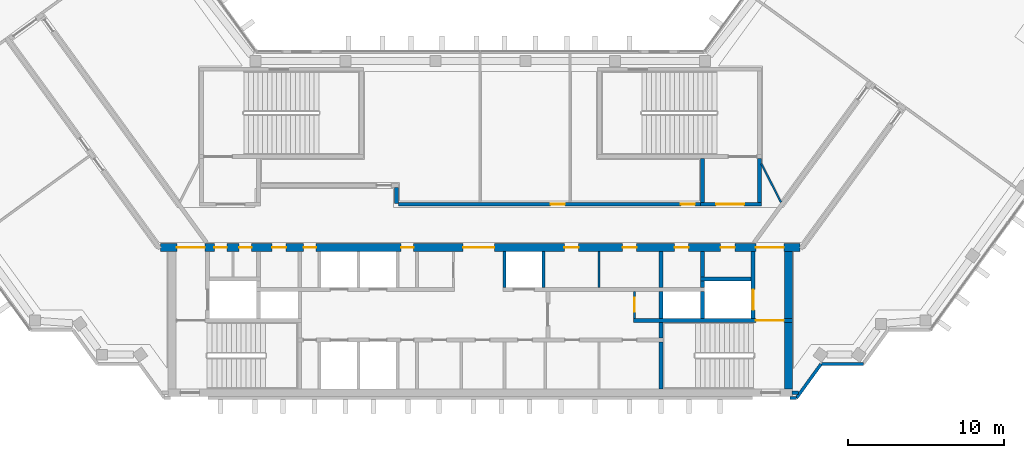
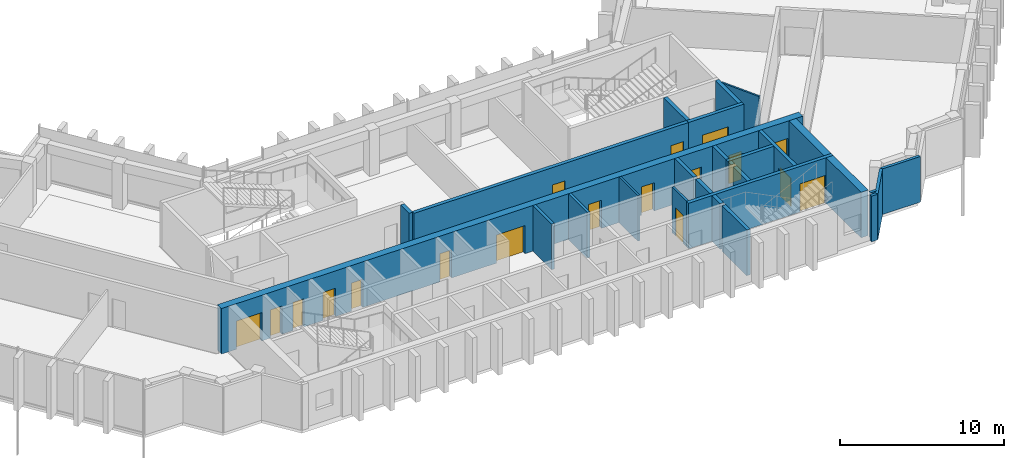
# One storey, part 10 of 13: 27 walls, 18 doors, 18 openings.
"""IFC4 building model written with IfcOpenShell, lengths in metres."""

from ifc_helpers import new_model, si_unit, direction, frame, frame_2d, origin, place, context, subcontext, project, spatial, rectangle, extrude, material, layer, layer_set, type_object, element, fill, save


model = new_model("IFC4")

# Units and contexts
model_context = context("Model", 3, precision=1e-05, world=origin(), true_north=direction((0.0, 1.0)))
body_context = subcontext(model_context, "Body", "Model", "MODEL_VIEW")
ifc_project = project(units=[si_unit("LENGTHUNIT", "METRE"), si_unit("AREAUNIT", "SQUARE_METRE"), si_unit("VOLUMEUNIT", "CUBIC_METRE"), si_unit("PLANEANGLEUNIT", "RADIAN"), si_unit("MASSUNIT", "GRAM", prefix="KILO")], contexts=[model_context])

# Site, building, storey
site_placement = place(None, origin())
site = spatial("IfcSite", under=ifc_project, at=site_placement, CompositionType="ELEMENT")
building_placement = place(site_placement, origin())
building = spatial("IfcBuilding", under=site, at=building_placement, Name="Quipu Civic Tower", CompositionType="ELEMENT")
storey_placement = place(building_placement, frame((0.0, 0.0, 297.0)))
storey = spatial("IfcBuildingStorey", under=building, at=storey_placement, Name="L69", CompositionType="ELEMENT", Elevation=297.0)

# Walls
ifc_material_1 = material(Name="Concrete C70/85", Category="concrete")
ifc_layer_1 = layer(ifc_material_1, 0.25)
ifc_layer_set_1 = layer_set([ifc_layer_1], Name="Concrete C70/85")
wall_type_1 = type_object("IfcWallType", Name="Core wall 250", PredefinedType="SHEAR", material=ifc_layer_set_1)
wall_1_placement = place(storey_placement, frame((11.574951171875, -10.5, 0.0), z_axis=(0.0, 0.0, 1.0), x_axis=(0.0, 1.0, 0.0)))
element("IfcWall", 1, at=wall_1_placement, inside=storey, type_object=wall_type_1, Name="Core wall", PredefinedType="SHEAR", context=body_context, shape_type="SweptSolid", body=[
    extrude(rectangle(XDim=3.0, YDim=0.25, at=frame_2d((1.5, 0.0))), origin(), (0.0, 0.0, 1.0), 3.39990234375),
])
wall_2_placement = place(storey_placement, frame((11.574951171875, -7.25, 0.0), z_axis=(0.0, 0.0, 1.0), x_axis=(0.0, 1.0, 0.0)))
element("IfcWall", 2, at=wall_2_placement, inside=storey, type_object=wall_type_1, Name="Core wall", PredefinedType="SHEAR", context=body_context, shape_type="SweptSolid", body=[
    extrude(rectangle(XDim=1.0, YDim=0.25, at=frame_2d((0.5, 0.0))), origin(), (0.0, 0.0, 1.0), 3.39990234375),
])

# Wall, opening, door
wall_3_placement = place(storey_placement, frame((20.0, -6.125, 0.0), z_axis=(0.0, 0.0, 1.0), x_axis=(-1.0, 0.0, 0.0)))
wall_3 = element("IfcWall", 3, at=wall_3_placement, inside=storey, type_object=wall_type_1, Name="Core wall", PredefinedType="SHEAR", context=body_context, shape_type="SweptSolid", body=[
    extrude(rectangle(XDim=10.199951171875, YDim=0.25, at=frame_2d((5.10009765625, 0.0))), origin(), (0.0, 0.0, 1.0), 3.39990234375),
])
opening_1_placement = place(wall_3_placement, frame((0.550048828125, 0.0, 0.0)))
opening_1 = element("IfcOpeningElement", 4, at=opening_1_placement, cuts=wall_3, Name="Opening CD-09", PredefinedType="OPENING", context=body_context, shape_type="SweptSolid", body=[
    extrude(rectangle(XDim=1.800048828125, YDim=2.10009765625, at=frame_2d((0.89990234375, 1.050048828125))), frame((0.0, 0.135009765625, 0.0), z_axis=(0.0, -1.0, 0.0), x_axis=(1.0, 0.0, 0.0)), (0.0, 0.0, 1.0), 0.27001953125),
])
ifc_material_2 = material(Name="Fire rated steel door", Category="steel")
door_type_1 = type_object("IfcDoorType", Name="Fire door FD90 double 1800 x 2100", OperationType="NOTDEFINED", PredefinedType="DOOR", material=ifc_material_2)
door_1_placement = place(opening_1_placement, origin())
door_1 = element("IfcDoor", 5, at=door_1_placement, inside=storey, type_object=door_type_1, Name="Door", OperationType="DOUBLE_DOOR_SINGLE_SWING", OverallHeight=2.10009765625, OverallWidth=1.800048828125, PredefinedType="DOOR", context=body_context, shape_type="SweptSolid", body=[
    extrude(rectangle(XDim=1.800048828125, YDim=2.10009765625, at=frame_2d((0.89990234375, 1.050048828125))), frame((0.0, 0.02490234375, 0.0), z_axis=(0.0, -1.0, 0.0), x_axis=(1.0, 0.0, 0.0)), (0.0, 0.0, 1.0), 0.050048828125),
])
fill(opening_1, door_1)

# Walls
for number, where, z_axis, x_axis, name in (
    (6, (11.574951171875, -6.0, 0.0), (0.0, 0.0, 1.0), (0.0, 1.0, 0.0), "Core wall"),
    (7, (14.22509765625, -6.0, 0.0), (0.0, 0.0, 1.0), (0.0, 1.0, 0.0), "Core wall"),
):
    element("IfcWall", number, at=place(storey_placement, frame(where, z_axis=z_axis, x_axis=x_axis)), inside=storey, type_object=wall_type_1, Name=name, PredefinedType="SHEAR", context=body_context, shape_type="SweptSolid", body=[
        extrude(rectangle(XDim=1.75, YDim=0.25, at=frame_2d((0.875, 0.0))), origin(), (0.0, 0.0, 1.0), 3.39990234375),
    ])

# Wall, opening, door
wall_4_placement = place(storey_placement, frame((17.47509765625, -6.0, 0.0), z_axis=(0.0, 0.0, 1.0), x_axis=(0.0, 1.0, 0.0)))
wall_4 = element("IfcWall", 8, at=wall_4_placement, inside=storey, type_object=wall_type_1, Name="Core wall", PredefinedType="SHEAR", context=body_context, shape_type="SweptSolid", body=[
    extrude(rectangle(XDim=4.300048828125, YDim=0.25, at=frame_2d((2.14990234375, 0.0))), origin(), (0.0, 0.0, 1.0), 3.39990234375),
])
opening_2_placement = place(wall_4_placement, frame((0.550048828125, 0.0, 0.0)))
opening_2 = element("IfcOpeningElement", 9, at=opening_2_placement, cuts=wall_4, Name="Opening LD-FF2", PredefinedType="OPENING", context=body_context, shape_type="SweptSolid", body=[
    extrude(rectangle(XDim=1.300048828125, YDim=2.10009765625, at=frame_2d((0.64990234375, 1.050048828125))), frame((0.0, 0.135009765625, 0.0), z_axis=(0.0, -1.0, 0.0), x_axis=(1.0, 0.0, 0.0)), (0.0, 0.0, 1.0), 0.27001953125),
])
ifc_material_3 = material(Name="Stainless steel", Category="steel")
door_type_2 = type_object("IfcDoorType", Name="Lift landing door 1300 x 2100", OperationType="DOUBLE_DOOR_SLIDING", PredefinedType="DOOR", material=ifc_material_3)
door_2_placement = place(opening_2_placement, origin())
door_2 = element("IfcDoor", 10, at=door_2_placement, inside=storey, type_object=door_type_2, Name="Landing door FF2", OperationType="DOUBLE_DOOR_SLIDING", OverallHeight=2.10009765625, OverallWidth=1.300048828125, PredefinedType="DOOR", context=body_context, shape_type="SweptSolid", body=[
    extrude(rectangle(XDim=1.300048828125, YDim=2.10009765625, at=frame_2d((0.64990234375, 1.050048828125))), frame((0.0, 0.02490234375, 0.0), z_axis=(0.0, -1.0, 0.0), x_axis=(1.0, 0.0, 0.0)), (0.0, 0.0, 1.0), 0.050048828125),
])
fill(opening_2, door_2)

# Walls
wall_5_placement = place(storey_placement, frame((11.574951171875, -4.0, 0.0), z_axis=(0.0, 0.0, 1.0), x_axis=(0.0, 1.0, 0.0)))
element("IfcWall", 11, at=wall_5_placement, inside=storey, type_object=wall_type_1, Name="Core wall", PredefinedType="SHEAR", context=body_context, shape_type="SweptSolid", body=[
    extrude(rectangle(XDim=2.300048828125, YDim=0.25, at=frame_2d((1.14990234375, 0.0))), origin(), (0.0, 0.0, 1.0), 3.39990234375),
])
wall_6_placement = place(storey_placement, frame((14.22509765625, -4.0, 0.0), z_axis=(0.0, 0.0, 1.0), x_axis=(0.0, 1.0, 0.0)))
element("IfcWall", 12, at=wall_6_placement, inside=storey, type_object=wall_type_1, Name="Core wall", PredefinedType="SHEAR", context=body_context, shape_type="SweptSolid", body=[
    extrude(rectangle(XDim=0.39990234375, YDim=0.25, at=frame_2d((0.199951171875, 0.0))), origin(), (0.0, 0.0, 1.0), 3.39990234375),
])
wall_7_placement = place(storey_placement, frame((14.10009765625, -3.47509765625, 0.0), z_axis=(0.0, 0.0, 1.0), x_axis=(1.0, 0.0, 0.0)))
element("IfcWall", 13, at=wall_7_placement, inside=storey, type_object=wall_type_1, Name="Core wall", PredefinedType="SHEAR", context=body_context, shape_type="SweptSolid", body=[
    extrude(rectangle(XDim=3.25, YDim=0.25, at=frame_2d((1.625, 0.0))), origin(), (0.0, 0.0, 1.0), 3.39990234375),
])
wall_8_placement = place(storey_placement, frame((14.22509765625, -3.35009765625, 0.0), z_axis=(0.0, 0.0, 1.0), x_axis=(0.0, 1.0, 0.0)))
element("IfcWall", 14, at=wall_8_placement, inside=storey, type_object=wall_type_1, Name="Core wall", PredefinedType="SHEAR", context=body_context, shape_type="SweptSolid", body=[
    extrude(rectangle(XDim=1.650146484375, YDim=0.25, at=frame_2d((0.8251953125, 0.0))), origin(), (0.0, 0.0, 1.0), 3.39990234375),
])

# Wall, opening, door
wall_9_placement = place(storey_placement, frame((14.10009765625, 1.324951171875, 0.0), z_axis=(0.0, 0.0, 1.0), x_axis=(1.0, 0.0, 0.0)))
wall_9 = element("IfcWall", 15, at=wall_9_placement, inside=storey, type_object=wall_type_1, Name="Core wall", PredefinedType="SHEAR", context=body_context, shape_type="SweptSolid", body=[
    extrude(rectangle(XDim=3.89990234375, YDim=0.25, at=frame_2d((1.949951171875, 0.0))), origin(), (0.0, 0.0, 1.0), 3.39990234375),
])
opening_3_placement = place(wall_9_placement, frame((1.0, 0.0, 0.0)))
opening_3 = element("IfcOpeningElement", 16, at=opening_3_placement, cuts=wall_9, Name="Opening CD-27", PredefinedType="OPENING", context=body_context, shape_type="SweptSolid", body=[
    extrude(rectangle(XDim=1.800048828125, YDim=2.10009765625, at=frame_2d((0.89990234375, 1.050048828125))), frame((0.0, 0.135009765625, 0.0), z_axis=(0.0, -1.0, 0.0), x_axis=(1.0, 0.0, 0.0)), (0.0, 0.0, 1.0), 0.27001953125),
])
door_3_placement = place(opening_3_placement, origin())
door_3 = element("IfcDoor", 17, at=door_3_placement, inside=storey, type_object=door_type_1, Name="Lobby door", OperationType="DOUBLE_DOOR_SINGLE_SWING", OverallHeight=2.10009765625, OverallWidth=1.800048828125, PredefinedType="DOOR", context=body_context, shape_type="SweptSolid", body=[
    extrude(rectangle(XDim=1.800048828125, YDim=2.10009765625, at=frame_2d((0.89990234375, 1.050048828125))), frame((0.0, 0.02490234375, 0.0), z_axis=(0.0, -1.0, 0.0), x_axis=(1.0, 0.0, 0.0)), (0.0, 0.0, 1.0), 0.050048828125),
])
fill(opening_3, door_3)

# Walls
for number, where, z_axis, x_axis, name in (
    (18, (14.22509765625, 1.449951171875, 0.0), (0.0, 0.0, 1.0), (0.0, 1.0, 0.0), "Core wall"),
    (19, (17.875, 1.449951171875, 0.0), (0.0, 0.0, 1.0), (0.0, 1.0, 0.0), "Core wall"),
):
    element("IfcWall", number, at=place(storey_placement, frame(where, z_axis=z_axis, x_axis=x_axis)), inside=storey, type_object=wall_type_1, Name=name, PredefinedType="SHEAR", context=body_context, shape_type="SweptSolid", body=[
        extrude(rectangle(XDim=2.800048828125, YDim=0.25, at=frame_2d((1.39990234375, 0.0))), origin(), (0.0, 0.0, 1.0), 3.39990234375),
    ])
ifc_material_4 = material(Name="Concrete C70/85", Category="concrete")
ifc_layer_2 = layer(ifc_material_4, 0.5)
ifc_layer_set_2 = layer_set([ifc_layer_2], Name="Concrete C70/85")
wall_type_2 = type_object("IfcWallType", Name="Core wall 500", PredefinedType="SHEAR", material=ifc_layer_set_2)
wall_10_placement = place(storey_placement, frame((19.75, -10.5, 0.0), z_axis=(0.0, 0.0, 1.0), x_axis=(0.0, 1.0, 0.0)))
element("IfcWall", 20, at=wall_10_placement, inside=storey, type_object=wall_type_2, Name="Core wall", PredefinedType="SHEAR", context=body_context, shape_type="SweptSolid", body=[
    extrude(rectangle(XDim=4.25, YDim=0.5, at=frame_2d((2.125, 0.0))), origin(), (0.0, 0.0, 1.0), 3.39990234375),
])
wall_11_placement = place(storey_placement, frame((19.75, -6.0, 0.0), z_axis=(0.0, 0.0, 1.0), x_axis=(0.0, 1.0, 0.0)))
element("IfcWall", 21, at=wall_11_placement, inside=storey, type_object=wall_type_2, Name="Core wall", PredefinedType="SHEAR", context=body_context, shape_type="SweptSolid", body=[
    extrude(rectangle(XDim=4.300048828125, YDim=0.5, at=frame_2d((2.14990234375, 0.0))), origin(), (0.0, 0.0, 1.0), 3.39990234375),
])

# Wall, openings, doors
wall_12_placement = place(storey_placement, frame((20.489990234375, -1.449951171875, 0.0), z_axis=(0.0, 0.0, 1.0), x_axis=(-1.0, 0.0, 0.0)))
wall_12 = element("IfcWall", 22, at=wall_12_placement, inside=storey, type_object=wall_type_2, Name="Core wall", PredefinedType="SHEAR", context=body_context, shape_type="SweptSolid", body=[
    extrude(rectangle(XDim=40.97998046875, YDim=0.5, at=frame_2d((20.489990234375, 0.0))), origin(), (0.0, 0.0, 1.0), 3.39990234375),
])
opening_4_placement = place(wall_12_placement, frame((38.139892578125, 0.0, 0.0)))
opening_4 = element("IfcOpeningElement", 23, at=opening_4_placement, cuts=wall_12, Name="Opening CD-13", PredefinedType="OPENING", context=body_context, shape_type="SweptSolid", body=[
    extrude(rectangle(XDim=1.800048828125, YDim=2.10009765625, at=frame_2d((0.89990234375, 1.050048828125))), frame((0.0, 0.260009765625, 0.0), z_axis=(0.0, -1.0, 0.0), x_axis=(1.0, 0.0, 0.0)), (0.0, 0.0, 1.0), 0.52001953125),
])
opening_5_placement = place(wall_12_placement, frame((36.7275390625, 0.0, 0.0)))
opening_5 = element("IfcOpeningElement", 24, at=opening_5_placement, cuts=wall_12, Name="Opening CD-14", PredefinedType="OPENING", context=body_context, shape_type="SweptSolid", body=[
    extrude(rectangle(XDim=0.800048828125, YDim=2.10009765625, at=frame_2d((0.39990234375, 1.050048828125))), frame((0.0, 0.260009765625, 0.0), z_axis=(0.0, -1.0, 0.0), x_axis=(1.0, 0.0, 0.0)), (0.0, 0.0, 1.0), 0.52001953125),
])
opening_6_placement = place(wall_12_placement, frame((35.152587890625, 0.0, 0.0)))
opening_6 = element("IfcOpeningElement", 25, at=opening_6_placement, cuts=wall_12, Name="Opening CD-15", PredefinedType="OPENING", context=body_context, shape_type="SweptSolid", body=[
    extrude(rectangle(XDim=0.800048828125, YDim=2.10009765625, at=frame_2d((0.39990234375, 1.050048828125))), frame((0.0, 0.260009765625, 0.0), z_axis=(0.0, -1.0, 0.0), x_axis=(1.0, 0.0, 0.0)), (0.0, 0.0, 1.0), 0.52001953125),
])
opening_7_placement = place(wall_12_placement, frame((32.93994140625, 0.0, 0.0)))
opening_7 = element("IfcOpeningElement", 26, at=opening_7_placement, cuts=wall_12, Name="Opening CD-16", PredefinedType="OPENING", context=body_context, shape_type="SweptSolid", body=[
    extrude(rectangle(XDim=0.89990234375, YDim=2.10009765625, at=frame_2d((0.449951171875, 1.050048828125))), frame((0.0, 0.260009765625, 0.0), z_axis=(0.0, -1.0, 0.0), x_axis=(1.0, 0.0, 0.0)), (0.0, 0.0, 1.0), 0.52001953125),
])
opening_8_placement = place(wall_12_placement, frame((31.014892578125, 0.0, 0.0)))
opening_8 = element("IfcOpeningElement", 27, at=opening_8_placement, cuts=wall_12, Name="Opening CD-17", PredefinedType="OPENING", context=body_context, shape_type="SweptSolid", body=[
    extrude(rectangle(XDim=0.800048828125, YDim=2.10009765625, at=frame_2d((0.39990234375, 1.050048828125))), frame((0.0, 0.260009765625, 0.0), z_axis=(0.0, -1.0, 0.0), x_axis=(1.0, 0.0, 0.0)), (0.0, 0.0, 1.0), 0.52001953125),
])
opening_9_placement = place(wall_12_placement, frame((24.764892578125, 0.0, 0.0)))
opening_9 = element("IfcOpeningElement", 28, at=opening_9_placement, cuts=wall_12, Name="Opening CD-18", PredefinedType="OPENING", context=body_context, shape_type="SweptSolid", body=[
    extrude(rectangle(XDim=0.800048828125, YDim=2.10009765625, at=frame_2d((0.39990234375, 1.050048828125))), frame((0.0, 0.260009765625, 0.0), z_axis=(0.0, -1.0, 0.0), x_axis=(1.0, 0.0, 0.0)), (0.0, 0.0, 1.0), 0.52001953125),
])
opening_10_placement = place(wall_12_placement, frame((19.590087890625, 0.0, 0.0)))
opening_10 = element("IfcOpeningElement", 29, at=opening_10_placement, cuts=wall_12, Name="Opening CD-19", PredefinedType="OPENING", context=body_context, shape_type="SweptSolid", body=[
    extrude(rectangle(XDim=2.0, YDim=2.10009765625, at=frame_2d((1.0, 1.050048828125))), frame((0.0, 0.260009765625, 0.0), z_axis=(0.0, -1.0, 0.0), x_axis=(1.0, 0.0, 0.0)), (0.0, 0.0, 1.0), 0.52001953125),
])
opening_11_placement = place(wall_12_placement, frame((14.202392578125, 0.0, 0.0)))
opening_11 = element("IfcOpeningElement", 30, at=opening_11_placement, cuts=wall_12, Name="Opening CD-20", PredefinedType="OPENING", context=body_context, shape_type="SweptSolid", body=[
    extrude(rectangle(XDim=0.89990234375, YDim=2.10009765625, at=frame_2d((0.449951171875, 1.050048828125))), frame((0.0, 0.260009765625, 0.0), z_axis=(0.0, -1.0, 0.0), x_axis=(1.0, 0.0, 0.0)), (0.0, 0.0, 1.0), 0.52001953125),
])
opening_12_placement = place(wall_12_placement, frame((10.4775390625, 0.0, 0.0)))
opening_12 = element("IfcOpeningElement", 31, at=opening_12_placement, cuts=wall_12, Name="Opening CD-21", PredefinedType="OPENING", context=body_context, shape_type="SweptSolid", body=[
    extrude(rectangle(XDim=0.89990234375, YDim=2.10009765625, at=frame_2d((0.449951171875, 1.050048828125))), frame((0.0, 0.260009765625, 0.0), z_axis=(0.0, -1.0, 0.0), x_axis=(1.0, 0.0, 0.0)), (0.0, 0.0, 1.0), 0.52001953125),
])
opening_13_placement = place(wall_12_placement, frame((7.139892578125, 0.0, 0.0)))
opening_13 = element("IfcOpeningElement", 32, at=opening_13_placement, cuts=wall_12, Name="Opening CD-22", PredefinedType="OPENING", context=body_context, shape_type="SweptSolid", body=[
    extrude(rectangle(XDim=0.89990234375, YDim=2.10009765625, at=frame_2d((0.449951171875, 1.050048828125))), frame((0.0, 0.260009765625, 0.0), z_axis=(0.0, -1.0, 0.0), x_axis=(1.0, 0.0, 0.0)), (0.0, 0.0, 1.0), 0.52001953125),
])
opening_14_placement = place(wall_12_placement, frame((4.18994140625, 0.0, 0.0)))
opening_14 = element("IfcOpeningElement", 33, at=opening_14_placement, cuts=wall_12, Name="Opening CD-23", PredefinedType="OPENING", context=body_context, shape_type="SweptSolid", body=[
    extrude(rectangle(XDim=0.89990234375, YDim=2.10009765625, at=frame_2d((0.449951171875, 1.050048828125))), frame((0.0, 0.260009765625, 0.0), z_axis=(0.0, -1.0, 0.0), x_axis=(1.0, 0.0, 0.0)), (0.0, 0.0, 1.0), 0.52001953125),
])
opening_15_placement = place(wall_12_placement, frame((1.0400390625, 0.0, 0.0)))
opening_15 = element("IfcOpeningElement", 34, at=opening_15_placement, cuts=wall_12, Name="Opening CD-24", PredefinedType="OPENING", context=body_context, shape_type="SweptSolid", body=[
    extrude(rectangle(XDim=1.800048828125, YDim=2.10009765625, at=frame_2d((0.89990234375, 1.050048828125))), frame((0.0, 0.260009765625, 0.0), z_axis=(0.0, -1.0, 0.0), x_axis=(1.0, 0.0, 0.0)), (0.0, 0.0, 1.0), 0.52001953125),
])
ifc_material_5 = material(Name="Fire rated steel door", Category="steel")
door_type_3 = type_object("IfcDoorType", Name="Fire door FD60 800 x 2100", OperationType="NOTDEFINED", PredefinedType="DOOR", material=ifc_material_5)
door_4_placement = place(opening_5_placement, origin())
door_4 = element("IfcDoor", 35, at=door_4_placement, inside=storey, type_object=door_type_3, Name="Door", OperationType="SINGLE_SWING_RIGHT", OverallHeight=2.10009765625, OverallWidth=0.800048828125, PredefinedType="DOOR", context=body_context, shape_type="SweptSolid", body=[
    extrude(rectangle(XDim=0.800048828125, YDim=2.10009765625, at=frame_2d((0.39990234375, 1.050048828125))), frame((0.0, 0.02490234375, 0.0), z_axis=(0.0, -1.0, 0.0), x_axis=(1.0, 0.0, 0.0)), (0.0, 0.0, 1.0), 0.050048828125),
])
fill(opening_5, door_4)
door_5_placement = place(opening_6_placement, origin())
door_5 = element("IfcDoor", 36, at=door_5_placement, inside=storey, type_object=door_type_3, Name="Door", OperationType="SINGLE_SWING_RIGHT", OverallHeight=2.10009765625, OverallWidth=0.800048828125, PredefinedType="DOOR", context=body_context, shape_type="SweptSolid", body=[
    extrude(rectangle(XDim=0.800048828125, YDim=2.10009765625, at=frame_2d((0.39990234375, 1.050048828125))), frame((0.0, 0.02490234375, 0.0), z_axis=(0.0, -1.0, 0.0), x_axis=(1.0, 0.0, 0.0)), (0.0, 0.0, 1.0), 0.050048828125),
])
fill(opening_6, door_5)
door_6_placement = place(opening_8_placement, origin())
door_6 = element("IfcDoor", 37, at=door_6_placement, inside=storey, type_object=door_type_3, Name="Door", OperationType="SINGLE_SWING_RIGHT", OverallHeight=2.10009765625, OverallWidth=0.800048828125, PredefinedType="DOOR", context=body_context, shape_type="SweptSolid", body=[
    extrude(rectangle(XDim=0.800048828125, YDim=2.10009765625, at=frame_2d((0.39990234375, 1.050048828125))), frame((0.0, 0.02490234375, 0.0), z_axis=(0.0, -1.0, 0.0), x_axis=(1.0, 0.0, 0.0)), (0.0, 0.0, 1.0), 0.050048828125),
])
fill(opening_8, door_6)
door_7_placement = place(opening_9_placement, origin())
door_7 = element("IfcDoor", 38, at=door_7_placement, inside=storey, type_object=door_type_3, Name="Door", OperationType="SINGLE_SWING_RIGHT", OverallHeight=2.10009765625, OverallWidth=0.800048828125, PredefinedType="DOOR", context=body_context, shape_type="SweptSolid", body=[
    extrude(rectangle(XDim=0.800048828125, YDim=2.10009765625, at=frame_2d((0.39990234375, 1.050048828125))), frame((0.0, 0.02490234375, 0.0), z_axis=(0.0, -1.0, 0.0), x_axis=(1.0, 0.0, 0.0)), (0.0, 0.0, 1.0), 0.050048828125),
])
fill(opening_9, door_7)
ifc_material_6 = material(Name="Fire rated steel door", Category="steel")
door_type_4 = type_object("IfcDoorType", Name="Fire door FD60 900 x 2100", OperationType="NOTDEFINED", PredefinedType="DOOR", material=ifc_material_6)
door_8_placement = place(opening_7_placement, origin())
door_8 = element("IfcDoor", 39, at=door_8_placement, inside=storey, type_object=door_type_4, Name="Riser door", OperationType="SINGLE_SWING_RIGHT", OverallHeight=2.10009765625, OverallWidth=0.89990234375, PredefinedType="DOOR", context=body_context, shape_type="SweptSolid", body=[
    extrude(rectangle(XDim=0.89990234375, YDim=2.10009765625, at=frame_2d((0.449951171875, 1.050048828125))), frame((0.0, 0.02490234375, 0.0), z_axis=(0.0, -1.0, 0.0), x_axis=(1.0, 0.0, 0.0)), (0.0, 0.0, 1.0), 0.050048828125),
])
fill(opening_7, door_8)
door_9_placement = place(opening_11_placement, origin())
door_9 = element("IfcDoor", 40, at=door_9_placement, inside=storey, type_object=door_type_4, Name="Door", OperationType="SINGLE_SWING_LEFT", OverallHeight=2.10009765625, OverallWidth=0.89990234375, PredefinedType="DOOR", context=body_context, shape_type="SweptSolid", body=[
    extrude(rectangle(XDim=0.89990234375, YDim=2.10009765625, at=frame_2d((0.449951171875, 1.050048828125))), frame((0.0, 0.02490234375, 0.0), z_axis=(0.0, -1.0, 0.0), x_axis=(1.0, 0.0, 0.0)), (0.0, 0.0, 1.0), 0.050048828125),
])
fill(opening_11, door_9)
door_10_placement = place(opening_12_placement, origin())
door_10 = element("IfcDoor", 41, at=door_10_placement, inside=storey, type_object=door_type_4, Name="Door", OperationType="SINGLE_SWING_LEFT", OverallHeight=2.10009765625, OverallWidth=0.89990234375, PredefinedType="DOOR", context=body_context, shape_type="SweptSolid", body=[
    extrude(rectangle(XDim=0.89990234375, YDim=2.10009765625, at=frame_2d((0.449951171875, 1.050048828125))), frame((0.0, 0.02490234375, 0.0), z_axis=(0.0, -1.0, 0.0), x_axis=(1.0, 0.0, 0.0)), (0.0, 0.0, 1.0), 0.050048828125),
])
fill(opening_12, door_10)
door_11_placement = place(opening_13_placement, origin())
door_11 = element("IfcDoor", 42, at=door_11_placement, inside=storey, type_object=door_type_4, Name="Riser door", OperationType="SINGLE_SWING_LEFT", OverallHeight=2.10009765625, OverallWidth=0.89990234375, PredefinedType="DOOR", context=body_context, shape_type="SweptSolid", body=[
    extrude(rectangle(XDim=0.89990234375, YDim=2.10009765625, at=frame_2d((0.449951171875, 1.050048828125))), frame((0.0, 0.02490234375, 0.0), z_axis=(0.0, -1.0, 0.0), x_axis=(1.0, 0.0, 0.0)), (0.0, 0.0, 1.0), 0.050048828125),
])
fill(opening_13, door_11)
door_12_placement = place(opening_14_placement, origin())
door_12 = element("IfcDoor", 43, at=door_12_placement, inside=storey, type_object=door_type_4, Name="Door", OperationType="SINGLE_SWING_LEFT", OverallHeight=2.10009765625, OverallWidth=0.89990234375, PredefinedType="DOOR", context=body_context, shape_type="SweptSolid", body=[
    extrude(rectangle(XDim=0.89990234375, YDim=2.10009765625, at=frame_2d((0.449951171875, 1.050048828125))), frame((0.0, 0.02490234375, 0.0), z_axis=(0.0, -1.0, 0.0), x_axis=(1.0, 0.0, 0.0)), (0.0, 0.0, 1.0), 0.050048828125),
])
fill(opening_14, door_12)
door_13_placement = place(opening_4_placement, origin())
door_13 = element("IfcDoor", 44, at=door_13_placement, inside=storey, type_object=door_type_1, Name="Lobby door", OperationType="DOUBLE_DOOR_SINGLE_SWING", OverallHeight=2.10009765625, OverallWidth=1.800048828125, PredefinedType="DOOR", context=body_context, shape_type="SweptSolid", body=[
    extrude(rectangle(XDim=1.800048828125, YDim=2.10009765625, at=frame_2d((0.89990234375, 1.050048828125))), frame((0.0, 0.02490234375, 0.0), z_axis=(0.0, -1.0, 0.0), x_axis=(1.0, 0.0, 0.0)), (0.0, 0.0, 1.0), 0.050048828125),
])
fill(opening_4, door_13)
door_14_placement = place(opening_15_placement, origin())
door_14 = element("IfcDoor", 45, at=door_14_placement, inside=storey, type_object=door_type_1, Name="Lobby door", OperationType="DOUBLE_DOOR_SINGLE_SWING", OverallHeight=2.10009765625, OverallWidth=1.800048828125, PredefinedType="DOOR", context=body_context, shape_type="SweptSolid", body=[
    extrude(rectangle(XDim=1.800048828125, YDim=2.10009765625, at=frame_2d((0.89990234375, 1.050048828125))), frame((0.0, 0.02490234375, 0.0), z_axis=(0.0, -1.0, 0.0), x_axis=(1.0, 0.0, 0.0)), (0.0, 0.0, 1.0), 0.050048828125),
])
fill(opening_15, door_14)
ifc_material_7 = material(Name="Fire rated steel door", Category="steel")
door_type_5 = type_object("IfcDoorType", Name="Fire door FD90 double 2000 x 2100", OperationType="NOTDEFINED", PredefinedType="DOOR", material=ifc_material_7)
door_15_placement = place(opening_10_placement, origin())
door_15 = element("IfcDoor", 46, at=door_15_placement, inside=storey, type_object=door_type_5, Name="Lobby door", OperationType="DOUBLE_DOOR_SINGLE_SWING", OverallHeight=2.10009765625, OverallWidth=2.0, PredefinedType="DOOR", context=body_context, shape_type="SweptSolid", body=[
    extrude(rectangle(XDim=2.0, YDim=2.10009765625, at=frame_2d((1.0, 1.050048828125))), frame((0.0, 0.02490234375, 0.0), z_axis=(0.0, -1.0, 0.0), x_axis=(1.0, 0.0, 0.0)), (0.0, 0.0, 1.0), 0.050048828125),
])
fill(opening_10, door_15)

# Wall
ifc_material_8 = material(Name="Concrete C50/60", Category="concrete")
ifc_layer_3 = layer(ifc_material_8, 0.25)
ifc_layer_set_3 = layer_set([ifc_layer_3], Name="Concrete C50/60")
wall_type_3 = type_object("IfcWallType", Name="Corridor wall 250 concrete", PredefinedType="SOLIDWALL", material=ifc_layer_set_3)
wall_13_placement = place(storey_placement, frame((-5.375, 2.39990234375, 0.0), z_axis=(0.0, 0.0, 1.0), x_axis=(0.0, -1.0, 0.0)))
element("IfcWall", 47, at=wall_13_placement, inside=storey, type_object=wall_type_3, Name="Corridor wall C08", PredefinedType="SOLIDWALL", context=body_context, shape_type="SweptSolid", body=[
    extrude(rectangle(XDim=1.041259765625, YDim=0.25, at=frame_2d((0.5205078125, 0.0))), origin(), (0.0, 0.0, 1.0), 3.39990234375),
])

# Wall, openings, doors
wall_14_placement = place(storey_placement, frame((-5.246337890625, 1.324951171875, 0.0), z_axis=(0.0, 0.0, 1.0), x_axis=(1.0, 0.0, 0.0)))
wall_14 = element("IfcWall", 48, at=wall_14_placement, inside=storey, type_object=wall_type_3, Name="Corridor wall C09", PredefinedType="SOLIDWALL", context=body_context, shape_type="SweptSolid", body=[
    extrude(rectangle(XDim=19.33642578125, YDim=0.25, at=frame_2d((9.668212890625, 0.0))), origin(), (0.0, 0.0, 1.0), 3.39990234375),
])
opening_16_placement = place(wall_14_placement, frame((9.75439453125, 0.0, 0.0)))
opening_16 = element("IfcOpeningElement", 49, at=opening_16_placement, cuts=wall_14, Name="Opening D005", PredefinedType="OPENING", context=body_context, shape_type="SweptSolid", body=[
    extrude(rectangle(XDim=0.89990234375, YDim=2.10009765625, at=frame_2d((0.449951171875, 1.050048828125))), frame((0.0, 0.135009765625, 0.0), z_axis=(0.0, -1.0, 0.0), x_axis=(1.0, 0.0, 0.0)), (0.0, 0.0, 1.0), 0.27001953125),
])
opening_17_placement = place(wall_14_placement, frame((18.09619140625, 0.0, 0.0)))
opening_17 = element("IfcOpeningElement", 50, at=opening_17_placement, cuts=wall_14, Name="Opening D006", PredefinedType="OPENING", context=body_context, shape_type="SweptSolid", body=[
    extrude(rectangle(XDim=0.89990234375, YDim=2.10009765625, at=frame_2d((0.449951171875, 1.050048828125))), frame((0.0, 0.135009765625, 0.0), z_axis=(0.0, -1.0, 0.0), x_axis=(1.0, 0.0, 0.0)), (0.0, 0.0, 1.0), 0.27001953125),
])
ifc_material_9 = material(Name="Fire rated timber door set with metal frame", Category="wood")
door_type_6 = type_object("IfcDoorType", Name="Single door 900 x 2100 FD60", OperationType="NOTDEFINED", PredefinedType="DOOR", material=ifc_material_9)
door_16_placement = place(opening_16_placement, origin())
door_16 = element("IfcDoor", 51, at=door_16_placement, inside=storey, type_object=door_type_6, Name="Door D005", OperationType="SINGLE_SWING_RIGHT", OverallHeight=2.10009765625, OverallWidth=0.89990234375, PredefinedType="DOOR", context=body_context, shape_type="SweptSolid", body=[
    extrude(rectangle(XDim=0.89990234375, YDim=2.10009765625, at=frame_2d((0.449951171875, 1.050048828125))), frame((0.0, 0.02490234375, 0.0), z_axis=(0.0, -1.0, 0.0), x_axis=(1.0, 0.0, 0.0)), (0.0, 0.0, 1.0), 0.050048828125),
])
fill(opening_16, door_16)
door_17_placement = place(opening_17_placement, origin())
door_17 = element("IfcDoor", 52, at=door_17_placement, inside=storey, type_object=door_type_6, Name="Door D006", OperationType="SINGLE_SWING_RIGHT", OverallHeight=2.10009765625, OverallWidth=0.89990234375, PredefinedType="DOOR", context=body_context, shape_type="SweptSolid", body=[
    extrude(rectangle(XDim=0.89990234375, YDim=2.10009765625, at=frame_2d((0.449951171875, 1.050048828125))), frame((0.0, 0.02490234375, 0.0), z_axis=(0.0, -1.0, 0.0), x_axis=(1.0, 0.0, 0.0)), (0.0, 0.0, 1.0), 0.050048828125),
])
fill(opening_17, door_17)

# Wall
ifc_material_10 = material(Name="Gypsum plasterboard on light gauge framing")
ifc_layer_4 = layer(ifc_material_10, 0.1201171875)
ifc_layer_set_4 = layer_set([ifc_layer_4], Name="Gypsum plasterboard on light gauge framing")
wall_type_4 = type_object("IfcWallType", Name="Partition 120 plasterboard", PredefinedType="PARTITIONING", material=ifc_layer_set_4)
wall_15_placement = place(storey_placement, frame((18.0, 3.925048828125, 0.0), z_axis=(0.0, 0.0, 1.0), x_axis=(0.453950796792, -0.891026752736, 0.0)))
element("IfcWall", 53, at=wall_15_placement, inside=storey, type_object=wall_type_4, Name="Partition P08", PredefinedType="PARTITIONING", context=body_context, shape_type="SweptSolid", body=[
    extrude(rectangle(XDim=2.77783203125, YDim=0.1201171875, at=frame_2d((1.388916015625, 0.0))), origin(), (0.0, 0.0, 1.0), 3.39990234375),
])

# Wall, opening, door
ifc_material_11 = material(Name="Gypsum board partition")
ifc_layer_5 = layer(ifc_material_11, 0.14990234375)
ifc_layer_set_5 = layer_set([ifc_layer_5], Name="Gypsum board partition")
wall_type_5 = type_object("IfcWallType", Name="Partition 150", PredefinedType="PARTITIONING", material=ifc_layer_set_5)
wall_16_placement = place(storey_placement, frame((9.875, -6.0, 0.0), z_axis=(0.0, 0.0, 1.0), x_axis=(0.0, 1.0, 0.0)))
wall_16 = element("IfcWall", 54, at=wall_16_placement, inside=storey, type_object=wall_type_5, Name="Partition", PredefinedType="PARTITIONING", context=body_context, shape_type="SweptSolid", body=[
    extrude(rectangle(XDim=1.75, YDim=0.14990234375, at=frame_2d((0.875, 0.0))), origin(), (0.0, 0.0, 1.0), 3.39990234375),
])
opening_18_placement = place(wall_16_placement, frame((0.449951171875, 0.0, 0.0)))
opening_18 = element("IfcOpeningElement", 55, at=opening_18_placement, cuts=wall_16, Name="Opening CD-11", PredefinedType="OPENING", context=body_context, shape_type="SweptSolid", body=[
    extrude(rectangle(XDim=0.89990234375, YDim=2.10009765625, at=frame_2d((0.449951171875, 1.050048828125))), frame((0.0, 0.0849609375, 0.0), z_axis=(0.0, -1.0, 0.0), x_axis=(1.0, 0.0, 0.0)), (0.0, 0.0, 1.0), 0.169921875),
])
door_18_placement = place(opening_18_placement, origin())
door_18 = element("IfcDoor", 56, at=door_18_placement, inside=storey, type_object=door_type_4, Name="Door", OperationType="SINGLE_SWING_RIGHT", OverallHeight=2.10009765625, OverallWidth=0.89990234375, PredefinedType="DOOR", context=body_context, shape_type="SweptSolid", body=[
    extrude(rectangle(XDim=0.89990234375, YDim=2.10009765625, at=frame_2d((0.449951171875, 1.050048828125))), frame((0.0, 0.02490234375, 0.0), z_axis=(0.0, -1.0, 0.0), x_axis=(1.0, 0.0, 0.0)), (0.0, 0.0, 1.0), 0.050048828125),
])
fill(opening_18, door_18)

# Walls
wall_17_placement = place(storey_placement, frame((7.60009765625, -4.0, 0.0), z_axis=(0.0, 0.0, 1.0), x_axis=(0.0, 1.0, 0.0)))
element("IfcWall", 57, at=wall_17_placement, inside=storey, type_object=wall_type_5, Name="Partition", PredefinedType="PARTITIONING", context=body_context, shape_type="SweptSolid", body=[
    extrude(rectangle(XDim=2.300048828125, YDim=0.14990234375, at=frame_2d((1.14990234375, 0.0))), origin(), (0.0, 0.0, 1.0), 3.39990234375),
])
ifc_material_12 = material(Name="Precast concrete C40/50", Category="concrete")
wall_type_6 = type_object("IfcWallType", Name="Precast cladding wall", PredefinedType="SOLIDWALL", material=ifc_material_12)
wall_18_placement = place(storey_placement, frame((19.85009765625, -11.087890625, 0.0), z_axis=(0.0, 0.0, 1.0), x_axis=(1.0, 0.0, 0.0)))
element("IfcWall", 58, at=wall_18_placement, inside=storey, type_object=wall_type_6, Name="Precast cladding wall L69 P19", PredefinedType="SOLIDWALL", context=body_context, shape_type="SweptSolid", body=[
    extrude(rectangle(XDim=0.40576171875, YDim=0.199951171875, at=frame_2d((0.202880859375, 0.0))), origin(), (0.0, 0.0, 1.0), 3.39990234375),
])
wall_19_placement = place(storey_placement, frame((20.253173828125, -11.083251953125, 0.0), z_axis=(0.0, 0.0, 1.0), x_axis=(0.587766567315, 0.809030569476, 0.0)))
element("IfcWall", 59, at=wall_19_placement, inside=storey, type_object=wall_type_6, Name="Precast cladding wall L69 P20", PredefinedType="SOLIDWALL", context=body_context, shape_type="SweptSolid", body=[
    extrude(rectangle(XDim=2.687744140625, YDim=0.199951171875, at=frame_2d((1.34375, 0.0))), origin(), (0.0, 0.0, 1.0), 3.39990234375),
])
wall_20_placement = place(storey_placement, frame((21.8427734375, -8.90380859375, 0.0), z_axis=(0.0, 0.0, 1.0), x_axis=(1.0, 0.0, 0.0)))
element("IfcWall", 60, at=wall_20_placement, inside=storey, type_object=wall_type_6, Name="Precast cladding wall L69 P21", PredefinedType="SOLIDWALL", context=body_context, shape_type="SweptSolid", body=[
    extrude(rectangle(XDim=2.699951171875, YDim=0.199951171875, at=frame_2d((1.35009765625, 0.0))), origin(), (0.0, 0.0, 1.0), 3.39990234375),
])
wall_21_placement = place(storey_placement, frame((19.97998046875, -10.75, 0.0), z_axis=(0.0, 0.0, 1.0), x_axis=(1.0, 0.0, 0.0)))
element("IfcWall", 61, at=wall_21_placement, inside=storey, type_object=wall_type_6, Name="Precast cladding return L69 E", PredefinedType="SOLIDWALL", context=body_context, shape_type="SweptSolid", body=[
    extrude(rectangle(XDim=0.41650390625, YDim=0.199951171875, at=frame_2d((0.208251953125, 0.0))), origin(), (0.0, 0.0, 1.0), 3.39990234375),
])
ifc_material_13 = material(Name="Concrete C40/50", Category="concrete")
ifc_layer_6 = layer(ifc_material_13, 0.199951171875)
ifc_layer_set_6 = layer_set([ifc_layer_6], Name="Concrete C40/50")
wall_type_7 = type_object("IfcWallType", Name="Shaft wall 200", PredefinedType="SOLIDWALL", material=ifc_layer_set_6)
for number, where, z_axis, x_axis, name in (
    (62, (1.550048828125, -4.0, 0.0), (0.0, 0.0, 1.0), (0.0, 1.0, 0.0), "Shaft wall"),
    (63, (4.050048828125, -4.0, 0.0), (0.0, 0.0, 1.0), (0.0, 1.0, 0.0), "Shaft wall"),
):
    element("IfcWall", number, at=place(storey_placement, frame(where, z_axis=z_axis, x_axis=x_axis)), inside=storey, type_object=wall_type_7, Name=name, PredefinedType="SOLIDWALL", context=body_context, shape_type="SweptSolid", body=[
        extrude(rectangle(XDim=2.300048828125, YDim=0.199951171875, at=frame_2d((1.14990234375, 0.0))), origin(), (0.0, 0.0, 1.0), 3.39990234375),
    ])

save(model, "model.ifc")
